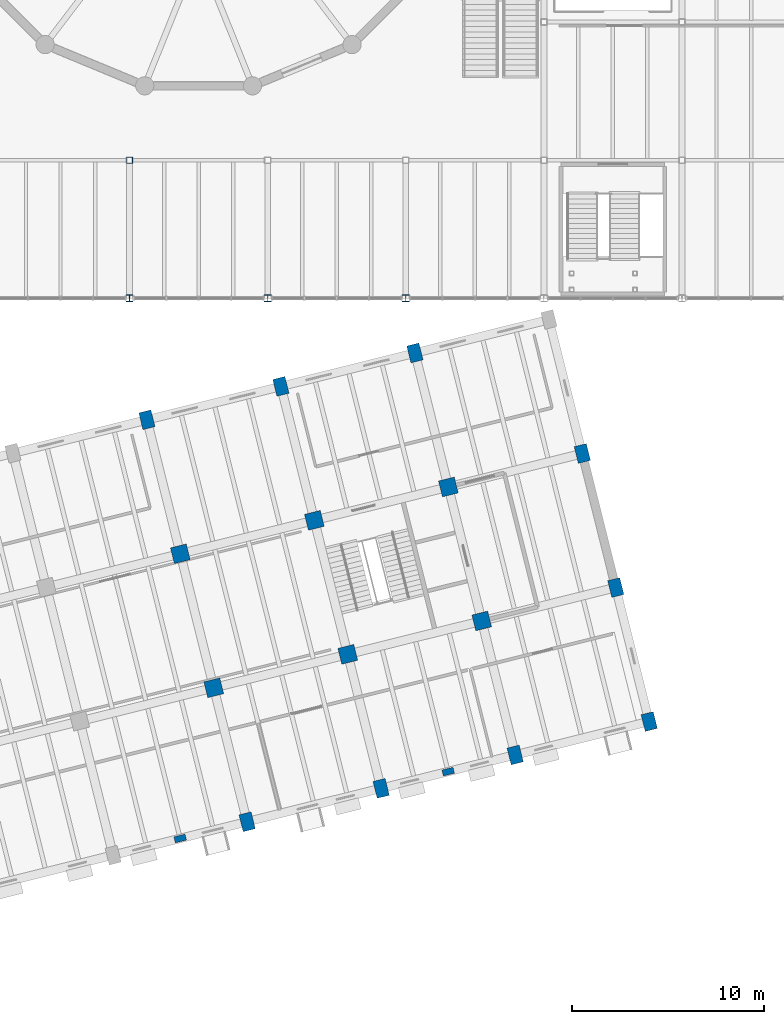
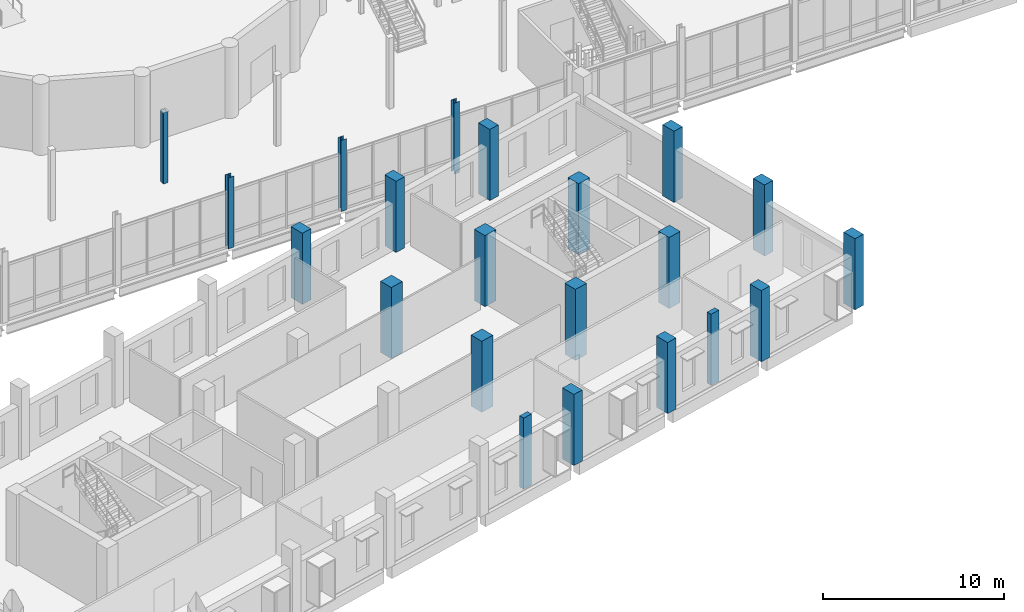
# One storey, part 6 of 77: 21 columns.
"""IFC4 building model written with IfcOpenShell, lengths in metres."""

from ifc_helpers import new_model, si_unit, direction, frame, origin, origin_2d, place, context, subcontext, project, spatial, rectangle, hollow_rectangle, i_section, extrude, material, material_profile, profile_set, type_object, element, save


model = new_model("IFC4")

# Units and contexts
model_context = context("Model", 3, precision=1e-05, world=origin(), true_north=direction((0.0, 1.0)))
body_context = subcontext(model_context, "Body", "Model", "MODEL_VIEW")
ifc_project = project(units=[si_unit("LENGTHUNIT", "METRE"), si_unit("AREAUNIT", "SQUARE_METRE"), si_unit("VOLUMEUNIT", "CUBIC_METRE"), si_unit("PLANEANGLEUNIT", "RADIAN"), si_unit("MASSUNIT", "GRAM", prefix="KILO")], contexts=[model_context])

# Site, building, storey
site_placement = place(None, origin())
site = spatial("IfcSite", under=ifc_project, at=site_placement, CompositionType="ELEMENT")
building_placement = place(site_placement, origin())
building = spatial("IfcBuilding", under=site, at=building_placement, Name="Qiaolan Assembly House", CompositionType="ELEMENT")
storey_placement = place(building_placement, frame((0.0, 0.0, 5.39990234375)))
storey = spatial("IfcBuildingStorey", under=building, at=storey_placement, Name="L01", CompositionType="ELEMENT", Elevation=5.39990234375)

# Columns
ifc_material_1 = material(Name="Concrete C50/60", Category="concrete")
ifc_material_profile_1 = material_profile(ifc_material_1, rectangle(XDim=0.85009765625, YDim=0.85009765625, at=origin_2d()), Name="RC 850x850")
ifc_profile_set_1 = profile_set([ifc_material_profile_1], Name="Concrete C50/60")
column_type_1 = type_object("IfcColumnType", Name="COL-RC-850", PredefinedType="COLUMN", material=ifc_profile_set_1)
for number, where, z_axis, x_axis, name in (
    (1, (69.188720703125, 15.6953125, 0.0), (0.0, 0.0, 1.0), (0.970295726276, 0.2419218956, 0.0), "RC-04 splayed column SE L01"),
    (2, (67.447021484375, 22.681396484375, 0.0), (0.0, 0.0, 1.0), (0.970295726276, 0.2419218956, 0.0), "RC-04 splayed column SE L01"),
    (3, (76.175048828125, 17.437255859375, 0.0), (0.0, 0.0, 1.0), (0.970295726276, 0.2419218956, 0.0), "RC-04 splayed column SE L01"),
    (4, (74.43310546875, 24.42333984375, 0.0), (0.0, 0.0, 1.0), (0.970295726276, 0.2419218956, 0.0), "RC-04 splayed column SE L01"),
    (5, (83.1611328125, 19.178955078125, 0.0), (0.0, 0.0, 1.0), (0.970295726276, 0.2419218956, 0.0), "RC-04 splayed column SE L01"),
    (6, (81.419189453125, 26.1650390625, 0.0), (0.0, 0.0, 1.0), (0.970295726276, 0.2419218956, 0.0), "RC-04 splayed column SE L01"),
):
    element("IfcColumn", number, at=place(storey_placement, frame(where, z_axis=z_axis, x_axis=x_axis)), inside=storey, type_object=column_type_1, Name=name, PredefinedType="COLUMN", context=body_context, shape_type="SweptSolid", body=[
        extrude(rectangle(XDim=0.85009765625, YDim=0.85009765625, at=origin_2d()), origin(), (0.0, 0.0, 1.0), 4.800048828125),
    ])
ifc_material_profile_2 = material_profile(ifc_material_1, rectangle(XDim=0.64990234375, YDim=0.89990234375, at=origin_2d()), Name="RC 900x650")
ifc_profile_set_2 = profile_set([ifc_material_profile_2], Name="Concrete C50/60")
column_type_2 = type_object("IfcColumnType", Name="COL-RC-900x650", PredefinedType="COLUMN", material=ifc_profile_set_2)
for number, where, z_axis, x_axis, name in (
    (7, (70.9306640625, 8.709228515625, 0.0), (0.0, 0.0, 1.0), (0.970295726276, 0.2419218956, 0.0), "RC-12 splayed column SE L01"),
    (8, (65.705078125, 29.66748046875, 0.0), (0.0, 0.0, 1.0), (0.970295726276, 0.2419218956, 0.0), "RC-12 splayed column SE L01"),
    (9, (77.916748046875, 10.450927734375, 0.0), (0.0, 0.0, 1.0), (0.970295726276, 0.2419218956, 0.0), "RC-12 splayed column SE L01"),
    (10, (72.691162109375, 31.409423828125, 0.0), (0.0, 0.0, 1.0), (0.970295726276, 0.2419218956, 0.0), "RC-12 splayed column SE L01"),
    (11, (84.90283203125, 12.19287109375, 0.0), (0.0, 0.0, 1.0), (0.970295726276, 0.2419218956, 0.0), "RC-12 splayed column SE L01"),
    (12, (79.677490234375, 33.1513671875, 0.0), (0.0, 0.0, 1.0), (0.970295726276, 0.2419218956, 0.0), "RC-12 splayed column SE L01"),
    (13, (91.888916015625, 13.934814453125, 0.0), (0.0, 0.0, 1.0), (0.970295726276, 0.2419218956, 0.0), "RC-12 splayed column SE L01"),
    (14, (90.147216796875, 20.9208984375, 0.0), (0.0, 0.0, 1.0), (0.970295726276, 0.2419218956, 0.0), "RC-12 splayed column SE L01"),
    (15, (88.4052734375, 27.906982421875, 0.0), (0.0, 0.0, 1.0), (0.970295726276, 0.2419218956, 0.0), "RC-12 splayed column SE L01"),
):
    element("IfcColumn", number, at=place(storey_placement, frame(where, z_axis=z_axis, x_axis=x_axis)), inside=storey, type_object=column_type_2, Name=name, PredefinedType="COLUMN", context=body_context, shape_type="SweptSolid", body=[
        extrude(rectangle(XDim=0.64990234375, YDim=0.89990234375, at=origin_2d()), origin(), (0.0, 0.0, 1.0), 4.800048828125),
    ])
ifc_material_2 = material(Name="Steel Q355B", Category="steel")
ifc_material_profile_3 = material_profile(ifc_material_2, i_section(OverallWidth=0.35009765625, OverallDepth=0.35009765625, WebThickness=0.011962890625, FlangeThickness=0.01904296875, FilletRadius=0.02001953125, at=origin_2d()), Name="HW 350x350x12x19")
ifc_profile_set_3 = profile_set([ifc_material_profile_3], Name="Steel Q355B")
column_type_3 = type_object("IfcColumnType", Name="COL-STL-HW350", PredefinedType="COLUMN", material=ifc_profile_set_3)
for number, where, z_axis, x_axis, name in (
    (16, (64.800048828125, 36.0, 0.0), (0.0, 0.0, 1.0), (1.0, 0.0, 0.0), "SC-02 hall column L01"),
    (17, (72.0, 36.0, 0.0), (0.0, 0.0, 1.0), (1.0, 0.0, 0.0), "SC-02 hall column L01"),
    (18, (79.199951171875, 36.0, 0.0), (0.0, 0.0, 1.0), (1.0, 0.0, 0.0), "SC-02 hall column L01"),
):
    element("IfcColumn", number, at=place(storey_placement, frame(where, z_axis=z_axis, x_axis=x_axis)), inside=storey, type_object=column_type_3, Name=name, PredefinedType="COLUMN", context=body_context, shape_type="SweptSolid", body=[
        extrude(i_section(OverallWidth=0.35009765625, OverallDepth=0.35009765625, WebThickness=0.011962890625, FlangeThickness=0.01904296875, FilletRadius=0.02001953125, at=origin_2d()), origin(), (0.0, 0.0, 1.0), 4.800048828125),
    ])
ifc_material_profile_4 = material_profile(ifc_material_2, hollow_rectangle(XDim=0.320068359375, YDim=0.320068359375, WallThickness=0.011962890625, InnerFilletRadius=0.011962890625, OuterFilletRadius=0.02392578125, at=origin_2d()), Name="SHS 320x320x12")
ifc_profile_set_4 = profile_set([ifc_material_profile_4], Name="Steel Q355B")
column_type_4 = type_object("IfcColumnType", Name="COL-STL-SHS320", PredefinedType="COLUMN", material=ifc_profile_set_4)
column_placement = place(storey_placement, frame((64.800048828125, 43.199951171875, 0.0), z_axis=(0.0, 0.0, 1.0), x_axis=(1.0, 0.0, 0.0)))
element("IfcColumn", 19, at=column_placement, inside=storey, type_object=column_type_4, Name="SC-09 hall column L01", PredefinedType="COLUMN", context=body_context, shape_type="SweptSolid", body=[
    extrude(hollow_rectangle(XDim=0.320068359375, YDim=0.320068359375, WallThickness=0.011962890625, InnerFilletRadius=0.011962890625, OuterFilletRadius=0.02392578125, at=origin_2d()), origin(), (0.0, 0.0, 1.0), 4.800048828125),
])
ifc_material_3 = material(Name="Precast concrete C45/55", Category="concrete")
ifc_material_profile_5 = material_profile(ifc_material_3, rectangle(XDim=0.60009765625, YDim=0.320068359375, at=origin_2d()), Name="PIL 600x320")
ifc_profile_set_5 = profile_set([ifc_material_profile_5], Name="Precast concrete C45/55")
column_type_5 = type_object("IfcColumnType", Name="PIL-SE-600x320", PredefinedType="PILASTER", material=ifc_profile_set_5)
for number, where, z_axis, x_axis, name in (
    (20, (67.4375, 7.83837890625, 0.0), (0.0, 0.0, 1.0), (0.970295726276, 0.2419218956, 0.0), "PL-03 boulevard pilaster SE L01"),
    (21, (81.409912109375, 11.322021484375, 0.0), (0.0, 0.0, 1.0), (0.970295726276, 0.2419218956, 0.0), "PL-03 boulevard pilaster SE L01"),
):
    element("IfcColumn", number, at=place(storey_placement, frame(where, z_axis=z_axis, x_axis=x_axis)), inside=storey, type_object=column_type_5, Name=name, PredefinedType="PILASTER", context=body_context, shape_type="SweptSolid", body=[
        extrude(rectangle(XDim=0.60009765625, YDim=0.320068359375, at=origin_2d()), origin(), (0.0, 0.0, 1.0), 4.800048828125),
    ])

save(model, "model.ifc")
